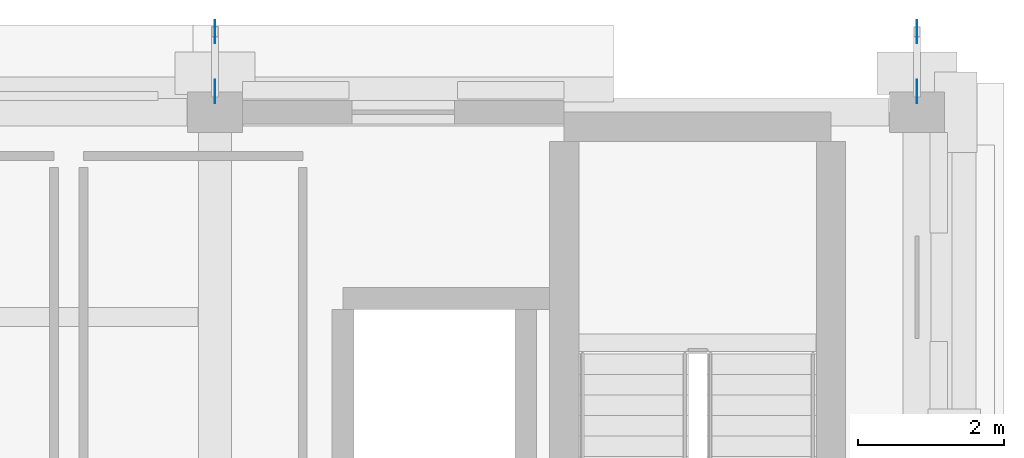
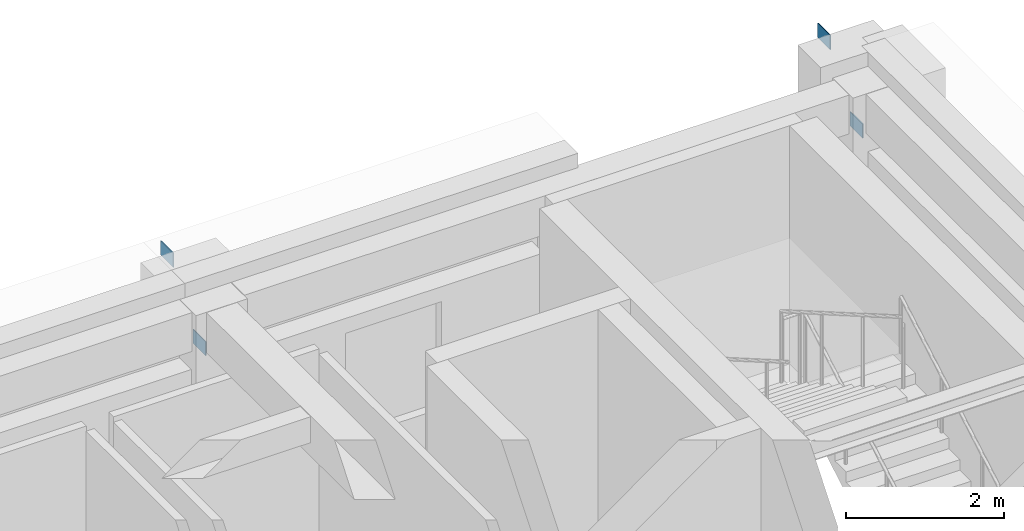
# One storey, part 3 of 9: 4 plates.
"""IFC4 building model written with IfcOpenShell, lengths in metres."""

from ifc_helpers import new_model, si_unit, direction, frame, origin, origin_2d, place, context, subcontext, project, spatial, rectangle, extrude, material, layer, layer_set, type_object, element, save


model = new_model("IFC4")

# Units and contexts
model_context = context("Model", 3, precision=1e-05, world=origin(), true_north=direction((0.0, 1.0)))
body_context = subcontext(model_context, "Body", "Model", "MODEL_VIEW")
ifc_project = project(units=[si_unit("LENGTHUNIT", "METRE"), si_unit("AREAUNIT", "SQUARE_METRE"), si_unit("VOLUMEUNIT", "CUBIC_METRE"), si_unit("PLANEANGLEUNIT", "RADIAN"), si_unit("MASSUNIT", "GRAM", prefix="KILO")], contexts=[model_context])

# Site, building, storey
site_placement = place(None, origin())
site = spatial("IfcSite", under=ifc_project, at=site_placement, CompositionType="ELEMENT")
building_placement = place(site_placement, origin())
building = spatial("IfcBuilding", under=site, at=building_placement, Name="Bempovik Park Faculty of Sciences", CompositionType="ELEMENT")
storey_placement = place(building_placement, frame((0.0, 0.0, 46.199951171875)))
storey = spatial("IfcBuildingStorey", under=building, at=storey_placement, Name="L11", CompositionType="ELEMENT", Elevation=46.199951171875)

# Plates
ifc_material = material(Name="Steel S355", Category="steel")
ifc_layer = layer(ifc_material, 0.011962890625)
ifc_layer_set = layer_set([ifc_layer], Name="Steel S355")
plate_type = type_object("IfcPlateType", Name="PL-26 Steel Plate 320x220x12", PredefinedType="SHEET", material=ifc_layer_set)
for number, where, z_axis, x_axis, name in (
    (1, (98.39990234375, 119.680908203125, 2.68994140625), (0.0, 0.0, 1.0), (1.0, 0.0, 0.0), "Brace/Strut End Gusset Plate STR-EAVE-V5-4-E1"),
    (2, (98.39990234375, 120.5, 3.56005859375), (0.0, 0.0, 1.0), (1.0, 0.0, 0.0), "Brace/Strut End Gusset Plate STR-EAVE-V5-4-E2"),
    (3, (108.0, 119.680908203125, 2.68994140625), (0.0, 0.0, 1.0), (1.0, 0.0, 0.0), "Brace/Strut End Gusset Plate STR-EAVE-V5-5-E1"),
    (4, (108.0, 120.5, 3.56005859375), (0.0, 0.0, 1.0), (1.0, 0.0, 0.0), "Brace/Strut End Gusset Plate STR-EAVE-V5-5-E2"),
):
    element("IfcPlate", number, at=place(storey_placement, frame(where, z_axis=z_axis, x_axis=x_axis)), inside=storey, type_object=plate_type, Name=name, PredefinedType="SHEET", context=body_context, shape_type="SweptSolid", body=[
        extrude(rectangle(XDim=0.011962890625, YDim=0.320068359375, at=origin_2d()), origin(), (0.0, 0.0, 1.0), 0.219970703125),
    ])

save(model, "model.ifc")
